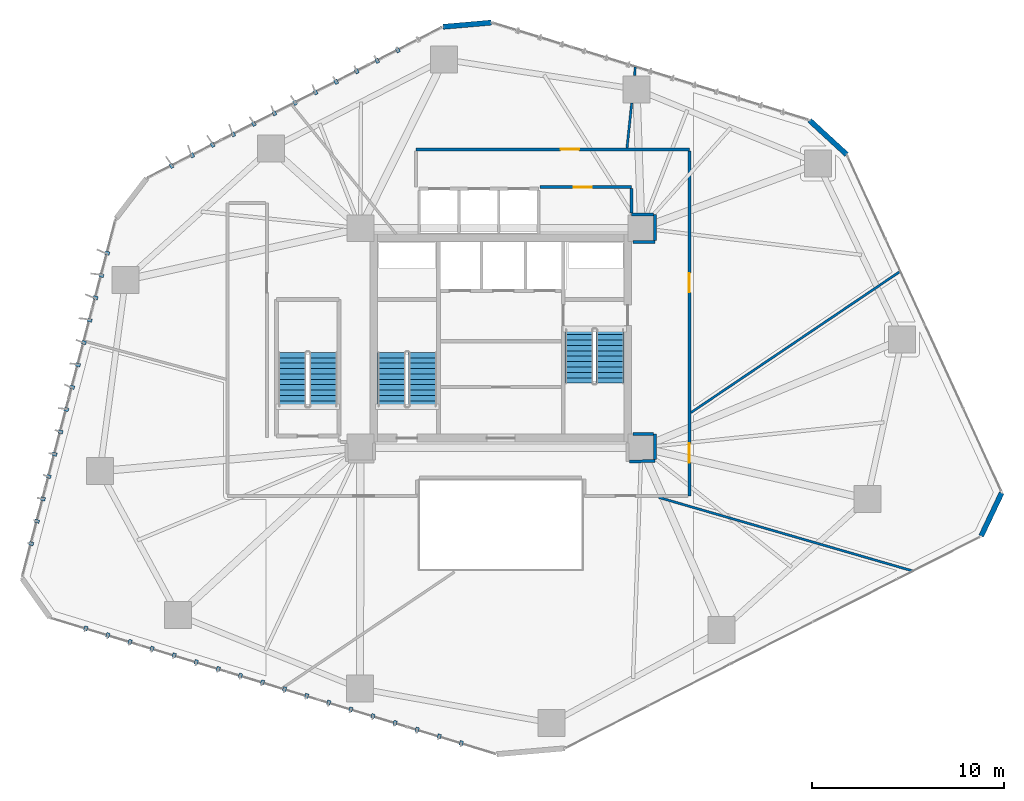
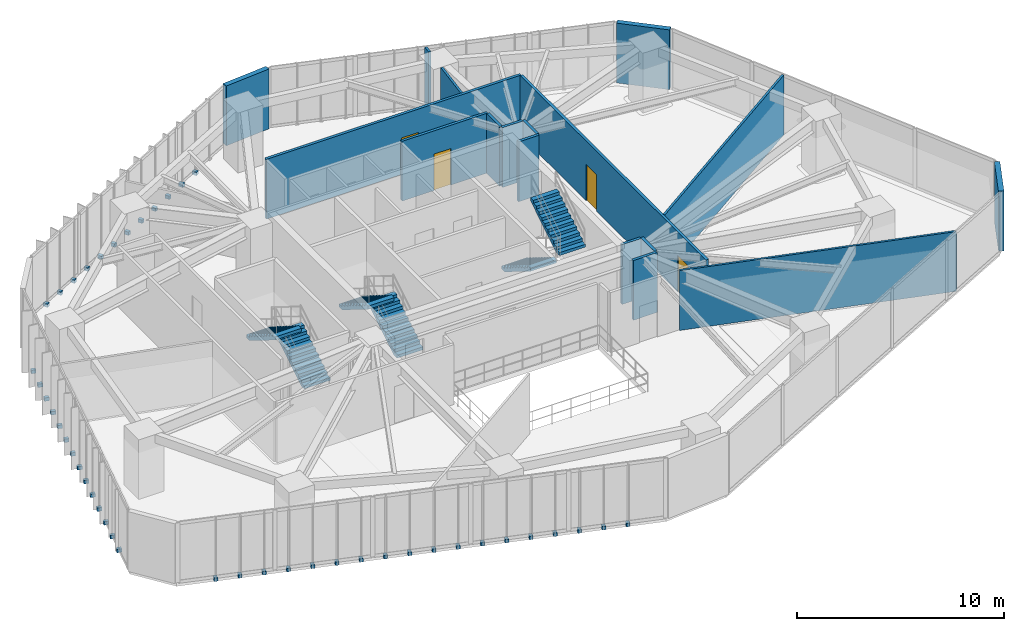
# One storey, part 20 of 24: 44 discrete accessories, 17 walls, 6 stair flights, 4 doors, 4 openings, 3 elements without a shape of their own.
"""IFC4 building model written with IfcOpenShell, lengths in metres."""

from ifc_helpers import new_model, si_unit, direction, frame, frame_2d, origin, origin_2d, place, context, subcontext, project, spatial, polyline, rectangle, outline, extrude, source, transform, mapped, material, layer, layer_set, type_object, type_shapes, element, fill, aggregate, save


model = new_model("IFC4")

# Units and contexts
model_context = context("Model", 3, precision=1e-05, world=origin(), true_north=direction((0.0, 1.0)))
body_context = subcontext(model_context, "Body", "Model", "MODEL_VIEW")
ifc_project = project(units=[si_unit("LENGTHUNIT", "METRE"), si_unit("AREAUNIT", "SQUARE_METRE"), si_unit("VOLUMEUNIT", "CUBIC_METRE"), si_unit("PLANEANGLEUNIT", "RADIAN"), si_unit("MASSUNIT", "GRAM", prefix="KILO")], contexts=[model_context])

# Site, building, storey
site_placement = place(None, origin())
site = spatial("IfcSite", under=ifc_project, at=site_placement, CompositionType="ELEMENT")
building_placement = place(site_placement, origin())
building = spatial("IfcBuilding", under=site, at=building_placement, Name="Talar Marvaseh", CompositionType="ELEMENT")
storey_placement = place(building_placement, frame((0.0, 0.0, 39.199951171875)))
storey = spatial("IfcBuildingStorey", under=building, at=storey_placement, Name="L09", CompositionType="ELEMENT", Elevation=39.199951171875)

# Walls
ifc_material_1 = material(Name="Precast concrete C45/55", Category="concrete")
ifc_layer_1 = layer(ifc_material_1, 0.27001953125)
ifc_layer_set_1 = layer_set([ifc_layer_1], Name="Precast concrete C45/55")
wall_type_1 = type_object("IfcWallType", Name="Chamfered Hexagonal Corner Pier Wall Z1 270", PredefinedType="SOLIDWALL", material=ifc_layer_set_1)
wall_1_placement = place(storey_placement, frame((22.999267578125, 47.364013671875, 0.0), z_axis=(0.0, 0.0, 1.0), x_axis=(0.996188344375, 0.087228335599, 0.0)))
element("IfcWall", 1, at=wall_1_placement, inside=storey, type_object=wall_type_1, Name="L09 Chamfered Corner Limestone Pier 3", PredefinedType="SOLIDWALL", context=body_context, shape_type="SweptSolid", body=[
    extrude(rectangle(XDim=2.51611328125, YDim=0.27001953125, at=frame_2d((1.258056640625, 0.0))), origin(), (0.0, 0.0, 1.0), 3.52001953125),
])
wall_2_placement = place(storey_placement, frame((42.03955078125, 42.50537109375, 0.0), z_axis=(0.0, 0.0, 1.0), x_axis=(0.735815993653, -0.677181529196, 0.0)))
element("IfcWall", 2, at=wall_2_placement, inside=storey, type_object=wall_type_1, Name="L09 Chamfered Corner Limestone Pier 4", PredefinedType="SOLIDWALL", context=body_context, shape_type="SweptSolid", body=[
    extrude(rectangle(XDim=2.623291015625, YDim=0.27001953125, at=frame_2d((1.3115234375, 0.0))), origin(), (0.0, 0.0, 1.0), 3.52001953125),
])
wall_3_placement = place(storey_placement, frame((52.02001953125, 23.148681640625, 0.0), z_axis=(0.0, 0.0, 1.0), x_axis=(-0.429315419279, -0.903154621739, 0.0)))
element("IfcWall", 3, at=wall_3_placement, inside=storey, type_object=wall_type_1, Name="L09 Chamfered Corner Limestone Pier 5", PredefinedType="SOLIDWALL", context=body_context, shape_type="SweptSolid", body=[
    extrude(rectangle(XDim=2.48388671875, YDim=0.27001953125, at=frame_2d((1.241943359375, 0.0))), origin(), (0.0, 0.0, 1.0), 3.52001953125),
])

# Wall, opening, door
ifc_material_2 = material(Name="Gypsum Board Partition Assembly")
ifc_layer_2 = layer(ifc_material_2, 0.155029296875)
ifc_layer_set_2 = layer_set([ifc_layer_2], Name="Gypsum Board Partition Assembly")
wall_type_2 = type_object("IfcWallType", Name="Corridor Fire-Rated Acoustic Partition 155", PredefinedType="PARTITIONING", material=ifc_layer_set_2)
wall_4_placement = place(storey_placement, frame((32.800048828125, 39.0400390625, 0.0), z_axis=(0.0, 0.0, 1.0), x_axis=(-1.0, 0.0, 0.0)))
wall_4 = element("IfcWall", 4, at=wall_4_placement, inside=storey, type_object=wall_type_2, Name="L09 Interior Partition Wall", PredefinedType="PARTITIONING", context=body_context, shape_type="SweptSolid", body=[
    extrude(rectangle(XDim=4.77001953125, YDim=0.155029296875, at=frame_2d((2.385009765625, 0.0))), origin(), (0.0, 0.0, 1.0), 3.52001953125),
])
opening_1_placement = place(wall_4_placement, frame((2.063720703125, 0.0, 0.0)))
opening_1 = element("IfcOpeningElement", 5, at=opening_1_placement, cuts=wall_4, Name="Opening DR-WC095", PredefinedType="OPENING", context=body_context, shape_type="SweptSolid", body=[
    extrude(rectangle(XDim=0.949951171875, YDim=2.14990234375, at=frame_2d((0.47509765625, 1.074951171875))), frame((0.0, 0.08740234375, 0.0), z_axis=(0.0, -1.0, 0.0), x_axis=(1.0, 0.0, 0.0)), (0.0, 0.0, 1.0), 0.175048828125),
])
ifc_material_3 = material(Name="Acoustic Engineered Oak Timber", Category="wood")
door_type_1 = type_object("IfcDoorType", Name="Washroom and Service Room Door 950x2150", OperationType="NOTDEFINED", PredefinedType="DOOR", material=ifc_material_3)
shared_shape_1 = source(origin(), body_context, "Body", "SweptSolid", [
    extrude(rectangle(XDim=0.949951171875, YDim=2.14990234375, at=frame_2d((0.47509765625, 1.074951171875))), frame((0.0, 0.02490234375, 0.0), z_axis=(0.0, -1.0, 0.0), x_axis=(1.0, 0.0, 0.0)), (0.0, 0.0, 1.0), 0.050048828125),
])
type_shapes(door_type_1, [shared_shape_1])
door_1_placement = place(opening_1_placement, origin())
door_1 = element("IfcDoor", 6, at=door_1_placement, inside=storey, type_object=door_type_1, Name="L09 WC Public Washrooms Door", OperationType="SINGLE_SWING_RIGHT", OverallHeight=2.14990234375, OverallWidth=0.949951171875, PredefinedType="DOOR", context=body_context, shape_type="MappedRepresentation", body=[
    mapped(shared_shape_1, transform((0.0, 0.0, 0.0), x_axis=(1.0, 0.0, 0.0), y_axis=(0.0, 1.0, 0.0), z_axis=(0.0, 0.0, 1.0), scale=1.0)),
])
fill(opening_1, door_1)

wall_5_placement = place(storey_placement, frame((21.60009765625, 41.0, 0.0), z_axis=(0.0, 0.0, 1.0), x_axis=(1.0, 0.0, 0.0)))
wall_5 = element("IfcWall", 7, at=wall_5_placement, inside=storey, type_object=wall_type_2, Name="L09 Interior Partition Wall", PredefinedType="PARTITIONING", context=body_context, shape_type="SweptSolid", body=[
    extrude(rectangle(XDim=14.199951171875, YDim=0.155029296875, at=frame_2d((7.10009765625, 0.0))), origin(), (0.0, 0.0, 1.0), 3.52001953125),
])
opening_2_placement = place(wall_5_placement, frame((7.512939453125, 0.0, 0.0)))
opening_2 = element("IfcOpeningElement", 8, at=opening_2_placement, cuts=wall_5, Name="Opening DR-WC095", PredefinedType="OPENING", context=body_context, shape_type="SweptSolid", body=[
    extrude(rectangle(XDim=0.949951171875, YDim=2.14990234375, at=frame_2d((0.47509765625, 1.074951171875))), frame((0.0, 0.08740234375, 0.0), z_axis=(0.0, -1.0, 0.0), x_axis=(1.0, 0.0, 0.0)), (0.0, 0.0, 1.0), 0.175048828125),
])
door_2_placement = place(opening_2_placement, origin())
door_2 = element("IfcDoor", 9, at=door_2_placement, inside=storey, type_object=door_type_1, Name="L09 Accessible WC Block Door", OperationType="SINGLE_SWING_LEFT", OverallHeight=2.14990234375, OverallWidth=0.949951171875, PredefinedType="DOOR", context=body_context, shape_type="MappedRepresentation", body=[
    mapped(shared_shape_1, transform((0.0, 0.0, 0.0), x_axis=(1.0, 0.0, 0.0), y_axis=(0.0, 1.0, 0.0), z_axis=(0.0, 0.0, 1.0), scale=1.0)),
])
fill(opening_2, door_2)

# Wall, openings, doors
wall_6_placement = place(storey_placement, frame((35.800048828125, 40.91650390625, 0.0), z_axis=(0.0, 0.0, 1.0), x_axis=(0.0, -1.0, 0.0)))
wall_6 = element("IfcWall", 10, at=wall_6_placement, inside=storey, type_object=wall_type_2, Name="L09 Interior Partition Wall", PredefinedType="PARTITIONING", context=body_context, shape_type="SweptSolid", body=[
    extrude(rectangle(XDim=17.91650390625, YDim=0.155029296875, at=frame_2d((8.958251953125, 0.0))), origin(), (0.0, 0.0, 1.0), 3.52001953125),
])
opening_3_placement = place(wall_6_placement, frame((15.19580078125, 0.0, 0.0)))
opening_3 = element("IfcOpeningElement", 11, at=opening_3_placement, cuts=wall_6, Name="Opening DR-RM100", PredefinedType="OPENING", context=body_context, shape_type="SweptSolid", body=[
    extrude(rectangle(XDim=1.0, YDim=2.14990234375, at=frame_2d((0.5, 1.074951171875))), frame((0.0, 0.08740234375, 0.0), z_axis=(0.0, -1.0, 0.0), x_axis=(1.0, 0.0, 0.0)), (0.0, 0.0, 1.0), 0.175048828125),
])
opening_4_placement = place(wall_6_placement, frame((6.35009765625, 0.0, 0.0)))
opening_4 = element("IfcOpeningElement", 12, at=opening_4_placement, cuts=wall_6, Name="Opening DR-RM100", PredefinedType="OPENING", context=body_context, shape_type="SweptSolid", body=[
    extrude(rectangle(XDim=1.0, YDim=2.14990234375, at=frame_2d((0.5, 1.074951171875))), frame((0.0, 0.08740234375, 0.0), z_axis=(0.0, -1.0, 0.0), x_axis=(1.0, 0.0, 0.0)), (0.0, 0.0, 1.0), 0.175048828125),
])
door_type_2 = type_object("IfcDoorType", Name="Corridor Fire-Rated Gallery Door 1000x2150", OperationType="NOTDEFINED", PredefinedType="DOOR", material=ifc_material_3)
shared_shape_2 = source(origin(), body_context, "Body", "SweptSolid", [
    extrude(rectangle(XDim=1.0, YDim=2.14990234375, at=frame_2d((0.5, 1.074951171875))), frame((0.0, 0.02490234375, 0.0), z_axis=(0.0, -1.0, 0.0), x_axis=(1.0, 0.0, 0.0)), (0.0, 0.0, 1.0), 0.050048828125),
])
type_shapes(door_type_2, [shared_shape_2])
door_3_placement = place(opening_3_placement, origin())
door_3 = element("IfcDoor", 13, at=door_3_placement, inside=storey, type_object=door_type_2, Name="L09 Main Reading Room Door", OperationType="SINGLE_SWING_RIGHT", OverallHeight=2.14990234375, OverallWidth=1.0, PredefinedType="DOOR", context=body_context, shape_type="MappedRepresentation", body=[
    mapped(shared_shape_2, transform((0.0, 0.0, 0.0), x_axis=(1.0, 0.0, 0.0), y_axis=(0.0, 1.0, 0.0), z_axis=(0.0, 0.0, 1.0), scale=1.0)),
])
fill(opening_3, door_3)
door_4_placement = place(opening_4_placement, origin())
door_4 = element("IfcDoor", 14, at=door_4_placement, inside=storey, type_object=door_type_2, Name="L09 Colloquium Boardroom Door", OperationType="SINGLE_SWING_LEFT", OverallHeight=2.14990234375, OverallWidth=1.0, PredefinedType="DOOR", context=body_context, shape_type="MappedRepresentation", body=[
    mapped(shared_shape_2, transform((0.0, 0.0, 0.0), x_axis=(1.0, 0.0, 0.0), y_axis=(0.0, 1.0, 0.0), z_axis=(0.0, 0.0, 1.0), scale=1.0)),
])
fill(opening_4, door_4)

# Walls
wall_7_placement = place(storey_placement, frame((32.67529296875, 24.788330078125, 0.0), z_axis=(0.0, 0.0, 1.0), x_axis=(0.999961738884, 0.008747614993, 0.0)))
element("IfcWall", 15, at=wall_7_placement, inside=storey, type_object=wall_type_2, Name="L09 Interior Partition Wall", PredefinedType="PARTITIONING", context=body_context, shape_type="SweptSolid", body=[
    extrude(rectangle(XDim=1.339599609375, YDim=0.155029296875, at=frame_2d((0.669921875, 0.0))), origin(), (0.0, 0.0, 1.0), 3.52001953125),
])
wall_8_placement = place(storey_placement, frame((34.014892578125, 24.883544921875, 0.0), z_axis=(0.0, 0.0, 1.0), x_axis=(-0.002393659134, 0.999997135194, 0.0)))
element("IfcWall", 16, at=wall_8_placement, inside=storey, type_object=wall_type_2, Name="L09 Interior Partition Wall", PredefinedType="PARTITIONING", context=body_context, shape_type="SweptSolid", body=[
    extrude(rectangle(XDim=1.325927734375, YDim=0.155029296875, at=frame_2d((0.6630859375, 0.0))), origin(), (0.0, 0.0, 1.0), 3.52001953125),
])
wall_9_placement = place(storey_placement, frame((33.927978515625, 26.2099609375, 0.0), z_axis=(0.0, 0.0, 1.0), x_axis=(-0.999988255797, 0.004846469737, 0.0)))
element("IfcWall", 17, at=wall_9_placement, inside=storey, type_object=wall_type_2, Name="L09 Interior Partition Wall", PredefinedType="PARTITIONING", context=body_context, shape_type="SweptSolid", body=[
    extrude(rectangle(XDim=1.057861328125, YDim=0.155029296875, at=frame_2d((0.52880859375, 0.0))), origin(), (0.0, 0.0, 1.0), 3.52001953125),
])
wall_10_placement = place(storey_placement, frame((32.8701171875, 36.18505859375, 0.0), z_axis=(0.0, 0.0, 1.0), x_axis=(0.999988932255, 0.00470482389, 0.0)))
element("IfcWall", 18, at=wall_10_placement, inside=storey, type_object=wall_type_2, Name="L09 Interior Partition Wall", PredefinedType="PARTITIONING", context=body_context, shape_type="SweptSolid", body=[
    extrude(rectangle(XDim=1.1416015625, YDim=0.155029296875, at=frame_2d((0.57080078125, 0.0))), origin(), (0.0, 0.0, 1.0), 3.52001953125),
])
wall_11_placement = place(storey_placement, frame((34.01171875, 36.27392578125, 0.0), z_axis=(0.0, 0.0, 1.0), x_axis=(0.0, 1.0, 0.0)))
element("IfcWall", 19, at=wall_11_placement, inside=storey, type_object=wall_type_2, Name="L09 Interior Partition Wall", PredefinedType="PARTITIONING", context=body_context, shape_type="SweptSolid", body=[
    extrude(rectangle(XDim=1.335693359375, YDim=0.155029296875, at=frame_2d((0.66796875, 0.0))), origin(), (0.0, 0.0, 1.0), 3.52001953125),
])
wall_12_placement = place(storey_placement, frame((33.927978515625, 37.60986328125, 0.0), z_axis=(0.0, 0.0, 1.0), x_axis=(-0.999989669582, 0.004545407589, 0.0)))
element("IfcWall", 20, at=wall_12_placement, inside=storey, type_object=wall_type_2, Name="L09 Interior Partition Wall", PredefinedType="PARTITIONING", context=body_context, shape_type="SweptSolid", body=[
    extrude(rectangle(XDim=1.1279296875, YDim=0.155029296875, at=frame_2d((0.56396484375, 0.0))), origin(), (0.0, 0.0, 1.0), 3.52001953125),
])
wall_13_placement = place(storey_placement, frame((32.800048828125, 37.698486328125, 0.0), z_axis=(0.0, 0.0, 1.0), x_axis=(0.0, 1.0, 0.0)))
element("IfcWall", 21, at=wall_13_placement, inside=storey, type_object=wall_type_2, Name="L09 Interior Partition Wall", PredefinedType="PARTITIONING", context=body_context, shape_type="SweptSolid", body=[
    extrude(rectangle(XDim=1.258056640625, YDim=0.155029296875, at=frame_2d((0.62890625, 0.0))), origin(), (0.0, 0.0, 1.0), 3.52001953125),
])
ifc_layer_3 = layer(ifc_material_2, 0.1201171875)
ifc_layer_set_3 = layer_set([ifc_layer_3], Name="Gypsum Board Partition Assembly")
wall_type_3 = type_object("IfcWallType", Name="Demountable Studio Room Partition 120", PredefinedType="PARTITIONING", material=ifc_layer_set_3)
wall_14_placement = place(storey_placement, frame((34.1982421875, 22.91650390625, 0.0), z_axis=(0.0, 0.0, 1.0), x_axis=(0.960561016251, -0.278069297225, 0.0)))
element("IfcWall", 22, at=wall_14_placement, inside=storey, type_object=wall_type_3, Name="L09 Interior Partition Wall", PredefinedType="PARTITIONING", context=body_context, shape_type="SweptSolid", body=[
    extrude(rectangle(XDim=13.736083984375, YDim=0.1201171875, at=frame_2d((6.8681640625, 0.0))), origin(), (0.0, 0.0, 1.0), 3.52001953125),
])
wall_15_placement = place(storey_placement, frame((35.883544921875, 27.326416015625, 0.0), z_axis=(0.0, 0.0, 1.0), x_axis=(0.828959545984, 0.559308565215, 0.0)))
element("IfcWall", 23, at=wall_15_placement, inside=storey, type_object=wall_type_3, Name="L09 Interior Partition Wall", PredefinedType="PARTITIONING", context=body_context, shape_type="SweptSolid", body=[
    extrude(rectangle(XDim=13.09375, YDim=0.1201171875, at=frame_2d((6.546875, 0.0))), origin(), (0.0, 0.0, 1.0), 3.52001953125),
])
wall_16_placement = place(storey_placement, frame((32.556640625, 41.064697265625, 0.0), z_axis=(0.0, 0.0, 1.0), x_axis=(0.103672519793, 0.99461148628, 0.0)))
element("IfcWall", 24, at=wall_16_placement, inside=storey, type_object=wall_type_3, Name="L09 Interior Partition Wall", PredefinedType="PARTITIONING", context=body_context, shape_type="SweptSolid", body=[
    extrude(rectangle(XDim=2.347900390625, YDim=0.1201171875, at=frame_2d((1.173828125, 0.0))), origin(), (0.0, 0.0, 1.0), 3.52001953125),
])
wall_17_placement = place(storey_placement, frame((32.949951171875, 44.830078125, 0.0), z_axis=(0.0, 0.0, 1.0), x_axis=(0.076952348157, 0.997034771767, 0.0)))
element("IfcWall", 25, at=wall_17_placement, inside=storey, type_object=wall_type_3, Name="L09 Interior Partition Wall", PredefinedType="PARTITIONING", context=body_context, shape_type="SweptSolid", body=[
    extrude(rectangle(XDim=0.437744140625, YDim=0.1201171875, at=frame_2d((0.21875, 0.0))), origin(), (0.0, 0.0, 1.0), 3.52001953125),
])

# Stair, stair flights
ifc_material_4 = material(Name="Concrete C40/50", Category="concrete")
stair_type = type_object("IfcStairType", Name="Reinforced Concrete Half-Turn Exit Stair Type B", PredefinedType="HALF_TURN_STAIR", material=ifc_material_4)
stair_1_placement = place(storey_placement, origin())
stair_1 = element("IfcStair", 26, at=stair_1_placement, inside=storey, type_object=stair_type, Name="L09 Tower West Core Exit Stair", PredefinedType="HALF_TURN_STAIR")
ifc_layer_4 = layer(ifc_material_4, 0.159912109375)
ifc_layer_set_4 = layer_set([ifc_layer_4], Name="Concrete C40/50")
stair_flight_type = type_object("IfcStairFlightType", Name="Reinforced Concrete Straight Stair Flight 160", PredefinedType="STRAIGHT", material=ifc_layer_set_4)
stair_flight_1_placement = place(storey_placement, frame((21.93505859375, 27.64990234375, 0.0), z_axis=(0.0, 0.0, 1.0), x_axis=(0.0, 1.0, 0.0)))
stair_flight_1 = element("IfcStairFlight", 27, at=stair_flight_1_placement, type_object=stair_flight_type, Name="ST-1 flight 1", NumberOfRisers=11, NumberOfTreads=10, PredefinedType="STRAIGHT", RiserHeight=0.172727273, TreadLength=0.28, context=body_context, shape_type="SweptSolid", body=[
    extrude(outline(polyline([(0.0, 0.0), (0.0, 0.172607421875), (0.280029296875, 0.172607421875), (0.280029296875, 0.345458984375), (0.56005859375, 0.345458984375), (0.56005859375, 0.51806640625), (0.840087890625, 0.51806640625), (0.840087890625, 0.69091796875), (1.1201171875, 0.69091796875), (1.1201171875, 0.863525390625), (1.39990234375, 0.863525390625), (1.39990234375, 1.036376953125), (1.679931640625, 1.036376953125), (1.679931640625, 1.208984375), (1.9599609375, 1.208984375), (1.9599609375, 1.3818359375), (2.239990234375, 1.3818359375), (2.239990234375, 1.554443359375), (2.52001953125, 1.554443359375), (2.52001953125, 1.727294921875), (2.800048828125, 1.727294921875), (2.800048828125, 1.89990234375), (2.800048828125, 1.539306640625), (0.3046875, 0.0), (0.0, 0.0)])), frame((0.0, 0.72509765625, 0.0), z_axis=(0.0, -1.0, 0.0), x_axis=(1.0, 0.0, 0.0)), (0.0, 0.0, 1.0), 1.449951171875),
])
stair_flight_2_placement = place(storey_placement, frame((20.324951171875, 30.449951171875, 1.900146484375), z_axis=(0.0, 0.0, 1.0), x_axis=(0.0, -1.0, 0.0)))
stair_flight_2 = element("IfcStairFlight", 28, at=stair_flight_2_placement, type_object=stair_flight_type, Name="ST-1 flight 2", NumberOfRisers=11, NumberOfTreads=10, PredefinedType="STRAIGHT", RiserHeight=0.172727273, TreadLength=0.28, context=body_context, shape_type="SweptSolid", body=[
    extrude(outline(polyline([(0.0, 0.0), (0.0, 0.172607421875), (0.280029296875, 0.172607421875), (0.280029296875, 0.345458984375), (0.56005859375, 0.345458984375), (0.56005859375, 0.51806640625), (0.840087890625, 0.51806640625), (0.840087890625, 0.69091796875), (1.1201171875, 0.69091796875), (1.1201171875, 0.863525390625), (1.39990234375, 0.863525390625), (1.39990234375, 1.036376953125), (1.679931640625, 1.036376953125), (1.679931640625, 1.208984375), (1.9599609375, 1.208984375), (1.9599609375, 1.3818359375), (2.239990234375, 1.3818359375), (2.239990234375, 1.554443359375), (2.52001953125, 1.554443359375), (2.52001953125, 1.727294921875), (2.800048828125, 1.727294921875), (2.800048828125, 1.89990234375), (2.800048828125, 1.539306640625), (0.3046875, 0.0), (0.0, 0.0)])), frame((0.0, 0.72509765625, 0.0), z_axis=(0.0, -1.0, 0.0), x_axis=(1.0, 0.0, 0.0)), (0.0, 0.0, 1.0), 1.449951171875),
])
aggregate(stair_1, [stair_flight_1, stair_flight_2])

stair_2_placement = place(storey_placement, origin())
stair_2 = element("IfcStair", 29, at=stair_2_placement, inside=storey, type_object=stair_type, Name="L09 Tower East Core Exit Stair", PredefinedType="HALF_TURN_STAIR")
stair_flight_3_placement = place(storey_placement, frame((30.06494140625, 31.64990234375, 0.0), z_axis=(0.0, 0.0, 1.0), x_axis=(0.0, -1.0, 0.0)))
stair_flight_3 = element("IfcStairFlight", 30, at=stair_flight_3_placement, type_object=stair_flight_type, Name="ST-2 flight 1", NumberOfRisers=11, NumberOfTreads=10, PredefinedType="STRAIGHT", RiserHeight=0.172727273, TreadLength=0.28, context=body_context, shape_type="SweptSolid", body=[
    extrude(outline(polyline([(0.0, 0.0), (0.0, 0.172607421875), (0.280029296875, 0.172607421875), (0.280029296875, 0.345458984375), (0.56005859375, 0.345458984375), (0.56005859375, 0.51806640625), (0.840087890625, 0.51806640625), (0.840087890625, 0.69091796875), (1.1201171875, 0.69091796875), (1.1201171875, 0.863525390625), (1.39990234375, 0.863525390625), (1.39990234375, 1.036376953125), (1.679931640625, 1.036376953125), (1.679931640625, 1.208984375), (1.9599609375, 1.208984375), (1.9599609375, 1.3818359375), (2.239990234375, 1.3818359375), (2.239990234375, 1.554443359375), (2.52001953125, 1.554443359375), (2.52001953125, 1.727294921875), (2.800048828125, 1.727294921875), (2.800048828125, 1.89990234375), (2.800048828125, 1.539306640625), (0.3046875, 0.0), (0.0, 0.0)])), frame((0.0, 0.72509765625, 0.0), z_axis=(0.0, -1.0, 0.0), x_axis=(1.0, 0.0, 0.0)), (0.0, 0.0, 1.0), 1.449951171875),
])
stair_flight_4_placement = place(storey_placement, frame((31.675048828125, 28.85009765625, 1.900146484375), z_axis=(0.0, 0.0, 1.0), x_axis=(0.0, 1.0, 0.0)))
stair_flight_4 = element("IfcStairFlight", 31, at=stair_flight_4_placement, type_object=stair_flight_type, Name="ST-2 flight 2", NumberOfRisers=11, NumberOfTreads=10, PredefinedType="STRAIGHT", RiserHeight=0.172727273, TreadLength=0.28, context=body_context, shape_type="SweptSolid", body=[
    extrude(outline(polyline([(0.0, 0.0), (0.0, 0.172607421875), (0.280029296875, 0.172607421875), (0.280029296875, 0.345458984375), (0.56005859375, 0.345458984375), (0.56005859375, 0.51806640625), (0.840087890625, 0.51806640625), (0.840087890625, 0.69091796875), (1.1201171875, 0.69091796875), (1.1201171875, 0.863525390625), (1.39990234375, 0.863525390625), (1.39990234375, 1.036376953125), (1.679931640625, 1.036376953125), (1.679931640625, 1.208984375), (1.9599609375, 1.208984375), (1.9599609375, 1.3818359375), (2.239990234375, 1.3818359375), (2.239990234375, 1.554443359375), (2.52001953125, 1.554443359375), (2.52001953125, 1.727294921875), (2.800048828125, 1.727294921875), (2.800048828125, 1.89990234375), (2.800048828125, 1.539306640625), (0.3046875, 0.0), (0.0, 0.0)])), frame((0.0, 0.72509765625, 0.0), z_axis=(0.0, -1.0, 0.0), x_axis=(1.0, 0.0, 0.0)), (0.0, 0.0, 1.0), 1.449951171875),
])
aggregate(stair_2, [stair_flight_3, stair_flight_4])

stair_3_placement = place(storey_placement, origin())
stair_3 = element("IfcStair", 32, at=stair_3_placement, inside=storey, type_object=stair_type, Name="L09 Museum & Podium Auxiliary Exit Stair", PredefinedType="HALF_TURN_STAIR")
stair_flight_5_placement = place(storey_placement, frame((16.77490234375, 27.64990234375, 0.0), z_axis=(0.0, 0.0, 1.0), x_axis=(0.0, 1.0, 0.0)))
stair_flight_5 = element("IfcStairFlight", 33, at=stair_flight_5_placement, type_object=stair_flight_type, Name="ST-3 flight 1", NumberOfRisers=11, NumberOfTreads=10, PredefinedType="STRAIGHT", RiserHeight=0.172727273, TreadLength=0.28, context=body_context, shape_type="SweptSolid", body=[
    extrude(outline(polyline([(0.0, 0.0), (0.0, 0.172607421875), (0.280029296875, 0.172607421875), (0.280029296875, 0.345458984375), (0.56005859375, 0.345458984375), (0.56005859375, 0.51806640625), (0.840087890625, 0.51806640625), (0.840087890625, 0.69091796875), (1.1201171875, 0.69091796875), (1.1201171875, 0.863525390625), (1.39990234375, 0.863525390625), (1.39990234375, 1.036376953125), (1.679931640625, 1.036376953125), (1.679931640625, 1.208984375), (1.9599609375, 1.208984375), (1.9599609375, 1.3818359375), (2.239990234375, 1.3818359375), (2.239990234375, 1.554443359375), (2.52001953125, 1.554443359375), (2.52001953125, 1.727294921875), (2.800048828125, 1.727294921875), (2.800048828125, 1.89990234375), (2.800048828125, 1.539306640625), (0.3046875, 0.0), (0.0, 0.0)])), frame((0.0, 0.72509765625, 0.0), z_axis=(0.0, -1.0, 0.0), x_axis=(1.0, 0.0, 0.0)), (0.0, 0.0, 1.0), 1.449951171875),
])
stair_flight_6_placement = place(storey_placement, frame((15.1650390625, 30.449951171875, 1.900146484375), z_axis=(0.0, 0.0, 1.0), x_axis=(0.0, -1.0, 0.0)))
stair_flight_6 = element("IfcStairFlight", 34, at=stair_flight_6_placement, type_object=stair_flight_type, Name="ST-3 flight 2", NumberOfRisers=11, NumberOfTreads=10, PredefinedType="STRAIGHT", RiserHeight=0.172727273, TreadLength=0.28, context=body_context, shape_type="SweptSolid", body=[
    extrude(outline(polyline([(0.0, 0.0), (0.0, 0.172607421875), (0.280029296875, 0.172607421875), (0.280029296875, 0.345458984375), (0.56005859375, 0.345458984375), (0.56005859375, 0.51806640625), (0.840087890625, 0.51806640625), (0.840087890625, 0.69091796875), (1.1201171875, 0.69091796875), (1.1201171875, 0.863525390625), (1.39990234375, 0.863525390625), (1.39990234375, 1.036376953125), (1.679931640625, 1.036376953125), (1.679931640625, 1.208984375), (1.9599609375, 1.208984375), (1.9599609375, 1.3818359375), (2.239990234375, 1.3818359375), (2.239990234375, 1.554443359375), (2.52001953125, 1.554443359375), (2.52001953125, 1.727294921875), (2.800048828125, 1.727294921875), (2.800048828125, 1.89990234375), (2.800048828125, 1.539306640625), (0.3046875, 0.0), (0.0, 0.0)])), frame((0.0, 0.72509765625, 0.0), z_axis=(0.0, -1.0, 0.0), x_axis=(1.0, 0.0, 0.0)), (0.0, 0.0, 1.0), 1.449951171875),
])
aggregate(stair_3, [stair_flight_5, stair_flight_6])

# Discrete accessories
ifc_material_5 = material(Name="Stainless Steel Grade 316", Category="steel")
discrete_accessory_type = type_object("IfcDiscreteAccessoryType", Name="Stainless Slab-Edge Fin Mounting Bracket", PredefinedType="BRACKET", material=ifc_material_5)
shared_shape_3 = source(origin(), body_context, "Body", "SweptSolid", [
    extrude(rectangle(XDim=0.239990234375, YDim=0.179931640625, at=origin_2d()), origin(), (0.0, 0.0, 1.0), 0.199951171875),
])
type_shapes(discrete_accessory_type, [shared_shape_3])
for number, where, z_axis, x_axis, name in (
    (35, (1.60498046875, 20.51513671875, -0.1796875), (0.0, 0.0, 1.0), (-0.967488830021, 0.252913747716, 0.0), "L09 Vertical Fin Slab-Edge Bracket"),
    (36, (1.908447265625, 21.676025390625, -0.1796875), (0.0, 0.0, 1.0), (-0.967488830021, 0.252913747716, 0.0), "L09 Vertical Fin Slab-Edge Bracket"),
    (37, (2.2119140625, 22.8369140625, -0.1796875), (0.0, 0.0, 1.0), (-0.967488830021, 0.252913747716, 0.0), "L09 Vertical Fin Slab-Edge Bracket"),
    (38, (2.515625, 23.998046875, -0.1796875), (0.0, 0.0, 1.0), (-0.967488830021, 0.252913747716, 0.0), "L09 Vertical Fin Slab-Edge Bracket"),
    (39, (2.819091796875, 25.158935546875, -0.1796875), (0.0, 0.0, 1.0), (-0.967488830021, 0.252913747716, 0.0), "L09 Vertical Fin Slab-Edge Bracket"),
    (40, (3.122802734375, 26.31982421875, -0.1796875), (0.0, 0.0, 1.0), (-0.967488830021, 0.252913747716, 0.0), "L09 Vertical Fin Slab-Edge Bracket"),
    (41, (3.42626953125, 27.48095703125, -0.1796875), (0.0, 0.0, 1.0), (-0.967488830021, 0.252913747716, 0.0), "L09 Vertical Fin Slab-Edge Bracket"),
    (42, (3.72998046875, 28.641845703125, -0.1796875), (0.0, 0.0, 1.0), (-0.967488830021, 0.252913747716, 0.0), "L09 Vertical Fin Slab-Edge Bracket"),
    (43, (4.033447265625, 29.802734375, -0.1796875), (0.0, 0.0, 1.0), (-0.967488830021, 0.252913747716, 0.0), "L09 Vertical Fin Slab-Edge Bracket"),
    (44, (4.3369140625, 30.9638671875, -0.1796875), (0.0, 0.0, 1.0), (-0.967488830021, 0.252913747716, 0.0), "L09 Vertical Fin Slab-Edge Bracket"),
    (45, (4.640625, 32.124755859375, -0.1796875), (0.0, 0.0, 1.0), (-0.967488830021, 0.252913747716, 0.0), "L09 Vertical Fin Slab-Edge Bracket"),
    (46, (4.944091796875, 33.28564453125, -0.1796875), (0.0, 0.0, 1.0), (-0.967488830021, 0.252913747716, 0.0), "L09 Vertical Fin Slab-Edge Bracket"),
    (47, (5.247802734375, 34.44677734375, -0.1796875), (0.0, 0.0, 1.0), (-0.967488830021, 0.252913747716, 0.0), "L09 Vertical Fin Slab-Edge Bracket"),
    (48, (5.55126953125, 35.607666015625, -0.1796875), (0.0, 0.0, 1.0), (-0.967488830021, 0.252913747716, 0.0), "L09 Vertical Fin Slab-Edge Bracket"),
    (49, (8.895751953125, 40.139404296875, -0.1796875), (0.0, 0.0, 1.0), (-0.455078730475, 0.890451205327, 0.0), "L09 Vertical Fin Slab-Edge Bracket"),
    (50, (9.96435546875, 40.685546875, -0.1796875), (0.0, 0.0, 1.0), (-0.455078730475, 0.890451205327, 0.0), "L09 Vertical Fin Slab-Edge Bracket"),
    (51, (11.03271484375, 41.2314453125, -0.1796875), (0.0, 0.0, 1.0), (-0.455078730475, 0.890451205327, 0.0), "L09 Vertical Fin Slab-Edge Bracket"),
    (52, (12.101318359375, 41.777587890625, -0.1796875), (0.0, 0.0, 1.0), (-0.455078730475, 0.890451205327, 0.0), "L09 Vertical Fin Slab-Edge Bracket"),
    (53, (13.169921875, 42.323486328125, -0.1796875), (0.0, 0.0, 1.0), (-0.455078730475, 0.890451205327, 0.0), "L09 Vertical Fin Slab-Edge Bracket"),
    (54, (14.238525390625, 42.86962890625, -0.1796875), (0.0, 0.0, 1.0), (-0.455078730475, 0.890451205327, 0.0), "L09 Vertical Fin Slab-Edge Bracket"),
    (55, (15.30712890625, 43.415771484375, -0.1796875), (0.0, 0.0, 1.0), (-0.455078730475, 0.890451205327, 0.0), "L09 Vertical Fin Slab-Edge Bracket"),
    (56, (16.375732421875, 43.9619140625, -0.1796875), (0.0, 0.0, 1.0), (-0.455078730475, 0.890451205327, 0.0), "L09 Vertical Fin Slab-Edge Bracket"),
    (57, (17.444091796875, 44.5078125, -0.1796875), (0.0, 0.0, 1.0), (-0.455078730475, 0.890451205327, 0.0), "L09 Vertical Fin Slab-Edge Bracket"),
    (58, (18.5126953125, 45.053955078125, -0.1796875), (0.0, 0.0, 1.0), (-0.455078730475, 0.890451205327, 0.0), "L09 Vertical Fin Slab-Edge Bracket"),
    (59, (19.581298828125, 45.599853515625, -0.1796875), (0.0, 0.0, 1.0), (-0.455078730475, 0.890451205327, 0.0), "L09 Vertical Fin Slab-Edge Bracket"),
    (60, (20.64990234375, 46.14599609375, -0.1796875), (0.0, 0.0, 1.0), (-0.455078730475, 0.890451205327, 0.0), "L09 Vertical Fin Slab-Edge Bracket"),
    (61, (23.947509765625, 10.1484375, -0.1796875), (0.0, 0.0, 1.0), (-0.292204793604, -0.956355769886, 0.0), "L09 Vertical Fin Slab-Edge Bracket"),
    (62, (22.7998046875, 10.4990234375, -0.1796875), (0.0, 0.0, 1.0), (-0.292204793604, -0.956355769886, 0.0), "L09 Vertical Fin Slab-Edge Bracket"),
    (63, (21.652099609375, 10.849853515625, -0.1796875), (0.0, 0.0, 1.0), (-0.292204793604, -0.956355769886, 0.0), "L09 Vertical Fin Slab-Edge Bracket"),
    (64, (20.50439453125, 11.200439453125, -0.1796875), (0.0, 0.0, 1.0), (-0.292204793604, -0.956355769886, 0.0), "L09 Vertical Fin Slab-Edge Bracket"),
    (65, (19.35693359375, 11.551025390625, -0.1796875), (0.0, 0.0, 1.0), (-0.292204793604, -0.956355769886, 0.0), "L09 Vertical Fin Slab-Edge Bracket"),
    (66, (18.209228515625, 11.90185546875, -0.1796875), (0.0, 0.0, 1.0), (-0.292204793604, -0.956355769886, 0.0), "L09 Vertical Fin Slab-Edge Bracket"),
    (67, (17.061767578125, 12.25244140625, -0.1796875), (0.0, 0.0, 1.0), (-0.292204793604, -0.956355769886, 0.0), "L09 Vertical Fin Slab-Edge Bracket"),
    (68, (15.9140625, 12.60302734375, -0.1796875), (0.0, 0.0, 1.0), (-0.292204793604, -0.956355769886, 0.0), "L09 Vertical Fin Slab-Edge Bracket"),
    (69, (14.766357421875, 12.953857421875, -0.1796875), (0.0, 0.0, 1.0), (-0.292204793604, -0.956355769886, 0.0), "L09 Vertical Fin Slab-Edge Bracket"),
    (70, (13.618896484375, 13.304443359375, -0.1796875), (0.0, 0.0, 1.0), (-0.292204793604, -0.956355769886, 0.0), "L09 Vertical Fin Slab-Edge Bracket"),
    (71, (12.47119140625, 13.655029296875, -0.1796875), (0.0, 0.0, 1.0), (-0.292204793604, -0.956355769886, 0.0), "L09 Vertical Fin Slab-Edge Bracket"),
    (72, (11.323486328125, 14.005859375, -0.1796875), (0.0, 0.0, 1.0), (-0.292204793604, -0.956355769886, 0.0), "L09 Vertical Fin Slab-Edge Bracket"),
    (73, (10.17578125, 14.3564453125, -0.1796875), (0.0, 0.0, 1.0), (-0.292204793604, -0.956355769886, 0.0), "L09 Vertical Fin Slab-Edge Bracket"),
    (74, (9.0283203125, 14.707275390625, -0.1796875), (0.0, 0.0, 1.0), (-0.292204793604, -0.956355769886, 0.0), "L09 Vertical Fin Slab-Edge Bracket"),
    (75, (7.880615234375, 15.057861328125, -0.1796875), (0.0, 0.0, 1.0), (-0.292204793604, -0.956355769886, 0.0), "L09 Vertical Fin Slab-Edge Bracket"),
    (76, (6.733154296875, 15.408447265625, -0.1796875), (0.0, 0.0, 1.0), (-0.292204793604, -0.956355769886, 0.0), "L09 Vertical Fin Slab-Edge Bracket"),
    (77, (5.58544921875, 15.75927734375, -0.1796875), (0.0, 0.0, 1.0), (-0.292204793604, -0.956355769886, 0.0), "L09 Vertical Fin Slab-Edge Bracket"),
    (78, (4.437744140625, 16.10986328125, -0.1796875), (0.0, 0.0, 1.0), (-0.292204793604, -0.956355769886, 0.0), "L09 Vertical Fin Slab-Edge Bracket"),
):
    element("IfcDiscreteAccessory", number, at=place(storey_placement, frame(where, z_axis=z_axis, x_axis=x_axis)), inside=storey, type_object=discrete_accessory_type, Name=name, PredefinedType="BRACKET", context=body_context, shape_type="MappedRepresentation", body=[
        mapped(shared_shape_3, transform((0.0, 0.0, 0.0), x_axis=(1.0, 0.0, 0.0), y_axis=(0.0, 1.0, 0.0), z_axis=(0.0, 0.0, 1.0), scale=1.0)),
    ])

save(model, "model.ifc")
